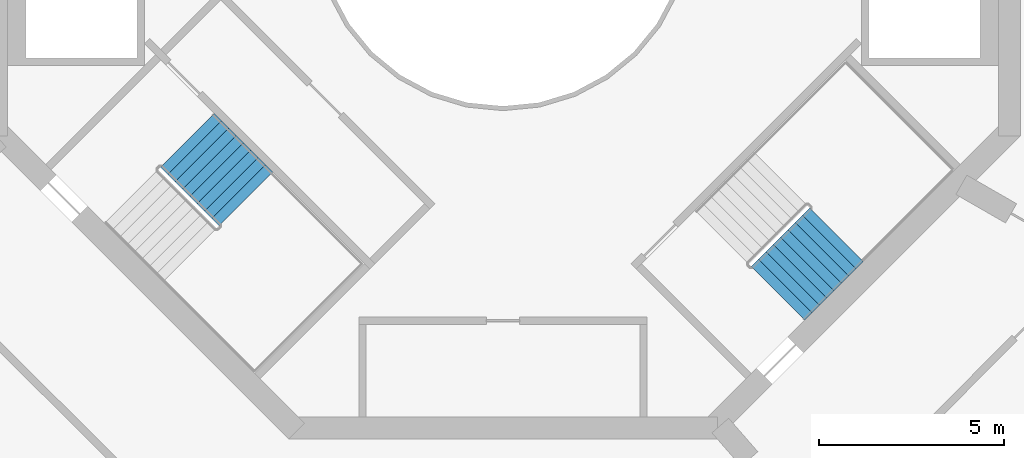
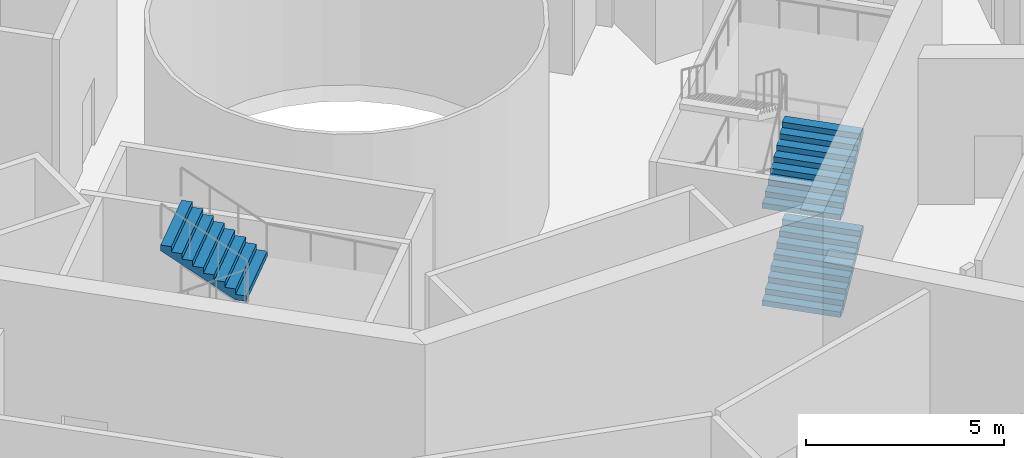
# One storey, part 12 of 16: 3 stair flights, 2 elements without a shape of their own.
"""IFC4 building model written with IfcOpenShell, lengths in metres."""

from ifc_helpers import new_model, si_unit, direction, frame, origin, place, context, subcontext, project, spatial, triangles, material, type_object, element, aggregate, save


model = new_model("IFC4")

# Units and contexts
model_context = context("Model", 3, precision=1e-05, world=origin(), true_north=direction((0.0, 1.0)))
body_context = subcontext(model_context, "Body", "Model", "MODEL_VIEW")
ifc_project = project(units=[si_unit("LENGTHUNIT", "METRE"), si_unit("AREAUNIT", "SQUARE_METRE"), si_unit("VOLUMEUNIT", "CUBIC_METRE"), si_unit("PLANEANGLEUNIT", "RADIAN"), si_unit("MASSUNIT", "GRAM", prefix="KILO")], contexts=[model_context])

# Site, building, storey
site_placement = place(None, origin())
site = spatial("IfcSite", under=ifc_project, at=site_placement, CompositionType="ELEMENT")
building_placement = place(site_placement, origin())
building = spatial("IfcBuilding", under=site, at=building_placement, Name="Verdalira Terraces Hotel", CompositionType="ELEMENT")
storey_placement = place(building_placement, frame((0.0, 0.0, 216.0)))
storey = spatial("IfcBuildingStorey", under=building, at=storey_placement, Name="L53", CompositionType="ELEMENT", Elevation=216.0)

# Stair, stair flight
ifc_material_1 = material(Name="Concrete C40", Category="concrete")
stair_type = type_object("IfcStairType", Name="Core stair 36 risers 2050 mm wide", PredefinedType="HALF_TURN_STAIR", material=ifc_material_1)
stair_1_placement = place(storey_placement, origin())
stair_1 = element("IfcStair", 1, at=stair_1_placement, inside=storey, type_object=stair_type, Name="L53 Exit stair ST2", PredefinedType="HALF_TURN_STAIR")
ifc_material_2 = material(Name="Concrete C40", Category="concrete")
stair_flight_type = type_object("IfcStairFlightType", Name="Core stair flight 36 risers 2050 mm wide", PredefinedType="STRAIGHT", material=ifc_material_2)
stair_flight_1_placement = place(storey_placement, frame((-6.954346, -7.505859, 4.5), z_axis=(0.0, 0.0, 1.0), x_axis=(-0.707106781, 0.707106781, 0.0)))
stair_flight_1 = element("IfcStairFlight", 2, at=stair_flight_1_placement, type_object=stair_flight_type, Name="ST2 flight 4", NumberOfRisers=9, NumberOfTreads=8, PredefinedType="STRAIGHT", RiserHeight=0.166666667, TreadLength=0.28, context=body_context, shape_type="Tessellation", body=[
    triangles([(0.0, 1.025024, 0.0), (0.292969, 1.025024, 0.0), (2.23999, 1.025024, 1.158936), (0.0, -1.025024, 0.0), (0.292969, -1.025024, 0.0), (2.23999, -1.025024, 1.158936), (2.23999, 1.025024, 1.333252), (1.959961, 1.025024, 1.333252), (2.23999, -1.025024, 1.333252), (1.959961, -1.025024, 1.333252), (1.959961, 1.025024, 1.166748), (1.959961, -1.025024, 1.166748), (1.679932, 1.025024, 1.166748), (1.679932, -1.025024, 1.166748), (1.679932, 1.025024, 1.0), (1.679932, -1.025024, 1.0), (1.399902, 1.025024, 1.0), (1.399902, 1.025024, 0.833252), (1.399902, -1.025024, 1.0), (1.399902, -1.025024, 0.833252), (1.120117, 1.025024, 0.833252), (1.120117, 1.025024, 0.666748), (1.120117, -1.025024, 0.833252), (1.120117, -1.025024, 0.666748), (0.840088, 1.025024, 0.666748), (0.840088, 1.025024, 0.5), (0.840088, -1.025024, 0.666748), (0.840088, -1.025024, 0.5), (0.560059, 1.025024, 0.5), (0.560059, 1.025024, 0.333252), (0.560059, -1.025024, 0.5), (0.560059, -1.025024, 0.333252), (0.280029, 1.025024, 0.333252), (0.280029, 1.025024, 0.166748), (0.280029, -1.025024, 0.333252), (0.280029, -1.025024, 0.166748), (0.0, 1.025024, 0.166748), (0.0, -1.025024, 0.166748), (0.0, -0.96096, 0.0), (0.0, -0.96096, 0.166748), (0.0, -0.896896, 0.0), (0.0, -0.896896, 0.166748), (0.0, -0.832832, 0.0), (0.0, -0.832832, 0.166748), (0.0, -0.768768, 0.0), (0.0, -0.768768, 0.166748), (0.0, -0.704704, 0.0), (0.0, -0.704704, 0.166748), (0.0, -0.64064, 0.0), (0.0, -0.64064, 0.166748), (0.0, -0.576576, 0.0), (0.0, -0.576576, 0.166748), (0.0, -0.512512, 0.0), (0.0, -0.512512, 0.166748), (0.0, -0.448448, 0.0), (0.0, -0.448448, 0.166748), (0.0, -0.384384, 0.0), (0.0, -0.384384, 0.166748), (0.0, -0.32032, 0.0), (0.0, -0.32032, 0.166748), (0.0, -0.256256, 0.0), (0.0, -0.256256, 0.166748), (0.0, -0.192192, 0.0), (0.0, -0.192192, 0.166748), (0.0, -0.128128, 0.0), (0.0, -0.128128, 0.166748), (0.0, -0.064064, 0.0), (0.0, -0.064064, 0.166748), (0.0, 0.0, 0.0), (0.0, 0.0, 0.166748), (0.0, 0.064064, 0.0), (0.0, 0.064064, 0.166748), (0.0, 0.128128, 0.0), (0.0, 0.128128, 0.166748), (0.0, 0.192192, 0.0), (0.0, 0.192192, 0.166748), (0.0, 0.256256, 0.0), (0.0, 0.256256, 0.166748), (0.0, 0.32032, 0.0), (0.0, 0.32032, 0.166748), (0.0, 0.384384, 0.0), (0.0, 0.384384, 0.166748), (0.0, 0.448448, 0.0), (0.0, 0.448448, 0.166748), (0.0, 0.512512, 0.0), (0.0, 0.512512, 0.166748), (0.0, 0.576576, 0.0), (0.0, 0.576576, 0.166748), (0.0, 0.64064, 0.0), (0.0, 0.64064, 0.166748), (0.0, 0.704704, 0.0), (0.0, 0.704704, 0.166748), (0.0, 0.768768, 0.0), (0.0, 0.768768, 0.166748), (0.0, 0.832832, 0.0), (0.0, 0.832832, 0.166748), (0.0, 0.896896, 0.0), (0.0, 0.896896, 0.166748), (0.0, 0.96096, 0.0), (0.0, 0.96096, 0.166748), (2.23999, -0.96096, 1.333252), (2.23999, -0.896896, 1.333252), (2.23999, -0.832832, 1.333252), (2.23999, -0.768768, 1.333252), (2.23999, -0.704704, 1.333252), (2.23999, -0.64064, 1.333252), (2.23999, -0.576576, 1.333252), (2.23999, -0.512512, 1.333252), (2.23999, -0.448448, 1.333252), (2.23999, -0.384384, 1.333252), (2.23999, -0.32032, 1.333252), (2.23999, -0.256256, 1.333252), (2.23999, -0.192192, 1.333252), (2.23999, -0.128128, 1.333252), (2.23999, -0.064064, 1.333252), (2.23999, 0.0, 1.333252), (2.23999, 0.064064, 1.333252), (2.23999, 0.128128, 1.333252), (2.23999, 0.192192, 1.333252), (2.23999, 0.256256, 1.333252), (2.23999, 0.32032, 1.333252), (2.23999, 0.384384, 1.333252), (2.23999, 0.448448, 1.333252), (2.23999, 0.512512, 1.333252), (2.23999, 0.576576, 1.333252), (2.23999, 0.64064, 1.333252), (2.23999, 0.704704, 1.333252), (2.23999, 0.768768, 1.333252), (2.23999, 0.832832, 1.333252), (2.23999, 0.896896, 1.333252), (2.23999, 0.96096, 1.333252), (2.23999, -0.96096, 1.158936), (2.23999, -0.896896, 1.158936), (2.23999, -0.832832, 1.158936), (2.23999, -0.768768, 1.158936), (2.23999, -0.704704, 1.158936), (2.23999, -0.64064, 1.158936), (2.23999, -0.576576, 1.158936), (2.23999, -0.512512, 1.158936), (2.23999, -0.448448, 1.158936), (2.23999, -0.384384, 1.158936), (2.23999, -0.32032, 1.158936), (2.23999, -0.256256, 1.158936), (2.23999, -0.192192, 1.158936), (2.23999, -0.128128, 1.158936), (2.23999, -0.064064, 1.158936), (2.23999, 0.0, 1.158936), (2.23999, 0.064064, 1.158936), (2.23999, 0.128128, 1.158936), (2.23999, 0.192192, 1.158936), (2.23999, 0.256256, 1.158936), (2.23999, 0.32032, 1.158936), (2.23999, 0.384384, 1.158936), (2.23999, 0.448448, 1.158936), (2.23999, 0.512512, 1.158936), (2.23999, 0.576576, 1.158936), (2.23999, 0.64064, 1.158936), (2.23999, 0.704704, 1.158936), (2.23999, 0.768768, 1.158936), (2.23999, 0.832832, 1.158936), (2.23999, 0.896896, 1.158936), (2.23999, 0.96096, 1.158936)], [[1, 3, 2], [4, 5, 6], [3, 8, 7], [6, 9, 10], [3, 11, 8], [6, 10, 12], [3, 13, 11], [6, 12, 14], [3, 15, 13], [6, 14, 16], [15, 18, 17], [16, 19, 20], [3, 18, 15], [6, 16, 20], [18, 22, 21], [20, 23, 24], [3, 22, 18], [6, 20, 24], [22, 26, 25], [24, 27, 28], [3, 26, 22], [6, 24, 28], [26, 30, 29], [28, 31, 32], [3, 30, 26], [6, 28, 32], [1, 30, 3], [4, 6, 32], [30, 34, 33], [32, 35, 36], [1, 34, 30], [4, 32, 36], [34, 1, 37], [36, 38, 4], [4, 40, 39], [4, 38, 40], [39, 42, 41], [39, 40, 42], [41, 44, 43], [41, 42, 44], [43, 46, 45], [43, 44, 46], [45, 48, 47], [45, 46, 48], [47, 50, 49], [47, 48, 50], [49, 52, 51], [49, 50, 52], [51, 54, 53], [51, 52, 54], [53, 56, 55], [53, 54, 56], [55, 58, 57], [55, 56, 58], [57, 60, 59], [57, 58, 60], [59, 62, 61], [59, 60, 62], [61, 64, 63], [61, 62, 64], [63, 66, 65], [63, 64, 66], [65, 68, 67], [65, 66, 68], [67, 70, 69], [67, 68, 70], [69, 72, 71], [69, 70, 72], [71, 74, 73], [71, 72, 74], [73, 76, 75], [73, 74, 76], [75, 78, 77], [75, 76, 78], [77, 80, 79], [77, 78, 80], [79, 82, 81], [79, 80, 82], [81, 84, 83], [81, 82, 84], [83, 86, 85], [83, 84, 86], [85, 88, 87], [85, 86, 88], [87, 90, 89], [87, 88, 90], [89, 92, 91], [89, 90, 92], [91, 94, 93], [91, 92, 94], [93, 96, 95], [93, 94, 96], [95, 98, 97], [95, 96, 98], [97, 100, 99], [97, 98, 100], [99, 37, 1], [99, 100, 37], [38, 36, 40], [40, 36, 42], [42, 36, 44], [44, 36, 46], [46, 36, 48], [48, 36, 50], [50, 36, 52], [52, 36, 54], [54, 36, 56], [56, 36, 58], [58, 36, 60], [60, 36, 62], [62, 36, 64], [64, 36, 66], [66, 36, 68], [68, 36, 70], [70, 36, 72], [72, 36, 74], [74, 36, 76], [76, 36, 78], [78, 36, 80], [80, 36, 82], [82, 36, 84], [84, 36, 86], [86, 36, 88], [88, 36, 90], [90, 36, 92], [92, 36, 94], [94, 36, 96], [96, 36, 98], [98, 36, 100], [100, 36, 37], [37, 36, 34], [36, 33, 34], [36, 35, 33], [35, 30, 33], [35, 32, 30], [32, 29, 30], [32, 31, 29], [31, 26, 29], [31, 28, 26], [28, 25, 26], [28, 27, 25], [27, 22, 25], [27, 24, 22], [24, 21, 22], [24, 23, 21], [23, 18, 21], [23, 20, 18], [20, 17, 18], [20, 19, 17], [19, 15, 17], [19, 16, 15], [16, 13, 15], [16, 14, 13], [14, 11, 13], [14, 12, 11], [12, 8, 11], [12, 10, 8], [9, 101, 10], [101, 102, 10], [102, 103, 10], [103, 104, 10], [104, 105, 10], [105, 106, 10], [106, 107, 10], [107, 108, 10], [108, 109, 10], [109, 110, 10], [110, 111, 10], [111, 112, 10], [112, 113, 10], [113, 114, 10], [114, 115, 10], [115, 116, 10], [116, 117, 10], [117, 118, 10], [118, 119, 10], [119, 120, 10], [120, 121, 10], [121, 122, 10], [122, 123, 10], [123, 124, 10], [124, 125, 10], [125, 126, 10], [126, 127, 10], [127, 128, 10], [128, 129, 10], [129, 130, 10], [130, 131, 10], [131, 7, 10], [7, 8, 10], [9, 132, 101], [9, 6, 132], [101, 133, 102], [101, 132, 133], [102, 134, 103], [102, 133, 134], [103, 135, 104], [103, 134, 135], [104, 136, 105], [104, 135, 136], [105, 137, 106], [105, 136, 137], [106, 138, 107], [106, 137, 138], [107, 139, 108], [107, 138, 139], [108, 140, 109], [108, 139, 140], [109, 141, 110], [109, 140, 141], [110, 142, 111], [110, 141, 142], [111, 143, 112], [111, 142, 143], [112, 144, 113], [112, 143, 144], [113, 145, 114], [113, 144, 145], [114, 146, 115], [114, 145, 146], [115, 147, 116], [115, 146, 147], [116, 148, 117], [116, 147, 148], [117, 149, 118], [117, 148, 149], [118, 150, 119], [118, 149, 150], [119, 151, 120], [119, 150, 151], [120, 152, 121], [120, 151, 152], [121, 153, 122], [121, 152, 153], [122, 154, 123], [122, 153, 154], [123, 155, 124], [123, 154, 155], [124, 156, 125], [124, 155, 156], [125, 157, 126], [125, 156, 157], [126, 158, 127], [126, 157, 158], [127, 159, 128], [127, 158, 159], [128, 160, 129], [128, 159, 160], [129, 161, 130], [129, 160, 161], [130, 162, 131], [130, 161, 162], [131, 3, 7], [131, 162, 3], [6, 5, 132], [132, 5, 133], [133, 5, 134], [134, 5, 135], [135, 5, 136], [136, 5, 137], [137, 5, 138], [138, 5, 139], [139, 5, 140], [140, 5, 141], [141, 5, 142], [142, 5, 143], [143, 5, 144], [144, 5, 145], [145, 5, 146], [146, 5, 147], [147, 5, 148], [148, 5, 149], [149, 5, 150], [150, 5, 151], [151, 5, 152], [152, 5, 153], [153, 5, 154], [154, 5, 155], [155, 5, 156], [156, 5, 157], [157, 5, 158], [158, 5, 159], [159, 5, 160], [160, 5, 161], [161, 5, 162], [162, 5, 3], [3, 5, 2], [4, 39, 5], [39, 41, 5], [41, 43, 5], [43, 45, 5], [45, 47, 5], [47, 49, 5], [49, 51, 5], [51, 53, 5], [53, 55, 5], [55, 57, 5], [57, 59, 5], [59, 61, 5], [61, 63, 5], [63, 65, 5], [65, 67, 5], [67, 69, 5], [69, 71, 5], [71, 73, 5], [73, 75, 5], [75, 77, 5], [77, 79, 5], [79, 81, 5], [81, 83, 5], [83, 85, 5], [85, 87, 5], [87, 89, 5], [89, 91, 5], [91, 93, 5], [93, 95, 5], [95, 97, 5], [97, 99, 5], [99, 1, 5], [1, 2, 5]], closed=True),
])
aggregate(stair_1, [stair_flight_1])

# Stair, stair flights
stair_2_placement = place(storey_placement, origin())
stair_2 = element("IfcStair", 3, at=stair_2_placement, inside=storey, type_object=stair_type, Name="L53 Exit stair ST3", PredefinedType="HALF_TURN_STAIR")
stair_flight_2_placement = place(storey_placement, frame((7.442383, -10.058594, 0.0), z_axis=(0.0, 0.0, 1.0), x_axis=(0.707106781, 0.707106781, 0.0)))
stair_flight_2 = element("IfcStairFlight", 4, at=stair_flight_2_placement, type_object=stair_flight_type, Name="ST3 flight 1", NumberOfRisers=9, NumberOfTreads=8, PredefinedType="STRAIGHT", RiserHeight=0.166666667, TreadLength=0.28, context=body_context, shape_type="Tessellation", body=[
    triangles([(0.0, 1.025024, 0.0), (0.292969, 1.025024, 0.0), (2.23999, 1.025024, 1.158936), (0.0, -1.025024, 0.0), (0.292969, -1.025024, 0.0), (2.23999, -1.025024, 1.158936), (2.23999, 1.025024, 1.333252), (1.959961, 1.025024, 1.333252), (2.23999, -1.025024, 1.333252), (1.959961, -1.025024, 1.333252), (1.959961, 1.025024, 1.166748), (1.959961, -1.025024, 1.166748), (1.679932, 1.025024, 1.166748), (1.679932, -1.025024, 1.166748), (1.679932, 1.025024, 1.0), (1.679932, -1.025024, 1.0), (1.399902, 1.025024, 1.0), (1.399902, 1.025024, 0.833252), (1.399902, -1.025024, 1.0), (1.399902, -1.025024, 0.833252), (1.120117, 1.025024, 0.833252), (1.120117, 1.025024, 0.666748), (1.120117, -1.025024, 0.833252), (1.120117, -1.025024, 0.666748), (0.840088, 1.025024, 0.666748), (0.840088, 1.025024, 0.5), (0.840088, -1.025024, 0.666748), (0.840088, -1.025024, 0.5), (0.560059, 1.025024, 0.5), (0.560059, 1.025024, 0.333252), (0.560059, -1.025024, 0.5), (0.560059, -1.025024, 0.333252), (0.280029, 1.025024, 0.333252), (0.280029, 1.025024, 0.166748), (0.280029, -1.025024, 0.333252), (0.280029, -1.025024, 0.166748), (0.0, 1.025024, 0.166748), (0.0, -1.025024, 0.166748), (0.0, -0.96096, 0.0), (0.0, -0.96096, 0.166748), (0.0, -0.896896, 0.0), (0.0, -0.896896, 0.166748), (0.0, -0.832832, 0.0), (0.0, -0.832832, 0.166748), (0.0, -0.768768, 0.0), (0.0, -0.768768, 0.166748), (0.0, -0.704704, 0.0), (0.0, -0.704704, 0.166748), (0.0, -0.64064, 0.0), (0.0, -0.64064, 0.166748), (0.0, -0.576576, 0.0), (0.0, -0.576576, 0.166748), (0.0, -0.512512, 0.0), (0.0, -0.512512, 0.166748), (0.0, -0.448448, 0.0), (0.0, -0.448448, 0.166748), (0.0, -0.384384, 0.0), (0.0, -0.384384, 0.166748), (0.0, -0.32032, 0.0), (0.0, -0.32032, 0.166748), (0.0, -0.256256, 0.0), (0.0, -0.256256, 0.166748), (0.0, -0.192192, 0.0), (0.0, -0.192192, 0.166748), (0.0, -0.128128, 0.0), (0.0, -0.128128, 0.166748), (0.0, -0.064064, 0.0), (0.0, -0.064064, 0.166748), (0.0, 0.0, 0.0), (0.0, 0.0, 0.166748), (0.0, 0.064064, 0.0), (0.0, 0.064064, 0.166748), (0.0, 0.128128, 0.0), (0.0, 0.128128, 0.166748), (0.0, 0.192192, 0.0), (0.0, 0.192192, 0.166748), (0.0, 0.256256, 0.0), (0.0, 0.256256, 0.166748), (0.0, 0.32032, 0.0), (0.0, 0.32032, 0.166748), (0.0, 0.384384, 0.0), (0.0, 0.384384, 0.166748), (0.0, 0.448448, 0.0), (0.0, 0.448448, 0.166748), (0.0, 0.512512, 0.0), (0.0, 0.512512, 0.166748), (0.0, 0.576576, 0.0), (0.0, 0.576576, 0.166748), (0.0, 0.64064, 0.0), (0.0, 0.64064, 0.166748), (0.0, 0.704704, 0.0), (0.0, 0.704704, 0.166748), (0.0, 0.768768, 0.0), (0.0, 0.768768, 0.166748), (0.0, 0.832832, 0.0), (0.0, 0.832832, 0.166748), (0.0, 0.896896, 0.0), (0.0, 0.896896, 0.166748), (0.0, 0.96096, 0.0), (0.0, 0.96096, 0.166748), (2.23999, -0.96096, 1.333252), (2.23999, -0.896896, 1.333252), (2.23999, -0.832832, 1.333252), (2.23999, -0.768768, 1.333252), (2.23999, -0.704704, 1.333252), (2.23999, -0.64064, 1.333252), (2.23999, -0.576576, 1.333252), (2.23999, -0.512512, 1.333252), (2.23999, -0.448448, 1.333252), (2.23999, -0.384384, 1.333252), (2.23999, -0.32032, 1.333252), (2.23999, -0.256256, 1.333252), (2.23999, -0.192192, 1.333252), (2.23999, -0.128128, 1.333252), (2.23999, -0.064064, 1.333252), (2.23999, 0.0, 1.333252), (2.23999, 0.064064, 1.333252), (2.23999, 0.128128, 1.333252), (2.23999, 0.192192, 1.333252), (2.23999, 0.256256, 1.333252), (2.23999, 0.32032, 1.333252), (2.23999, 0.384384, 1.333252), (2.23999, 0.448448, 1.333252), (2.23999, 0.512512, 1.333252), (2.23999, 0.576576, 1.333252), (2.23999, 0.64064, 1.333252), (2.23999, 0.704704, 1.333252), (2.23999, 0.768768, 1.333252), (2.23999, 0.832832, 1.333252), (2.23999, 0.896896, 1.333252), (2.23999, 0.96096, 1.333252), (2.23999, -0.96096, 1.158936), (2.23999, -0.896896, 1.158936), (2.23999, -0.832832, 1.158936), (2.23999, -0.768768, 1.158936), (2.23999, -0.704704, 1.158936), (2.23999, -0.64064, 1.158936), (2.23999, -0.576576, 1.158936), (2.23999, -0.512512, 1.158936), (2.23999, -0.448448, 1.158936), (2.23999, -0.384384, 1.158936), (2.23999, -0.32032, 1.158936), (2.23999, -0.256256, 1.158936), (2.23999, -0.192192, 1.158936), (2.23999, -0.128128, 1.158936), (2.23999, -0.064064, 1.158936), (2.23999, 0.0, 1.158936), (2.23999, 0.064064, 1.158936), (2.23999, 0.128128, 1.158936), (2.23999, 0.192192, 1.158936), (2.23999, 0.256256, 1.158936), (2.23999, 0.32032, 1.158936), (2.23999, 0.384384, 1.158936), (2.23999, 0.448448, 1.158936), (2.23999, 0.512512, 1.158936), (2.23999, 0.576576, 1.158936), (2.23999, 0.64064, 1.158936), (2.23999, 0.704704, 1.158936), (2.23999, 0.768768, 1.158936), (2.23999, 0.832832, 1.158936), (2.23999, 0.896896, 1.158936), (2.23999, 0.96096, 1.158936)], [[1, 3, 2], [4, 5, 6], [3, 8, 7], [6, 9, 10], [3, 11, 8], [6, 10, 12], [3, 13, 11], [6, 12, 14], [3, 15, 13], [6, 14, 16], [15, 18, 17], [16, 19, 20], [3, 18, 15], [6, 16, 20], [18, 22, 21], [20, 23, 24], [3, 22, 18], [6, 20, 24], [22, 26, 25], [24, 27, 28], [3, 26, 22], [6, 24, 28], [26, 30, 29], [28, 31, 32], [3, 30, 26], [6, 28, 32], [1, 30, 3], [4, 6, 32], [30, 34, 33], [32, 35, 36], [1, 34, 30], [4, 32, 36], [34, 1, 37], [36, 38, 4], [4, 40, 39], [4, 38, 40], [39, 42, 41], [39, 40, 42], [41, 44, 43], [41, 42, 44], [43, 46, 45], [43, 44, 46], [45, 48, 47], [45, 46, 48], [47, 50, 49], [47, 48, 50], [49, 52, 51], [49, 50, 52], [51, 54, 53], [51, 52, 54], [53, 56, 55], [53, 54, 56], [55, 58, 57], [55, 56, 58], [57, 60, 59], [57, 58, 60], [59, 62, 61], [59, 60, 62], [61, 64, 63], [61, 62, 64], [63, 66, 65], [63, 64, 66], [65, 68, 67], [65, 66, 68], [67, 70, 69], [67, 68, 70], [69, 72, 71], [69, 70, 72], [71, 74, 73], [71, 72, 74], [73, 76, 75], [73, 74, 76], [75, 78, 77], [75, 76, 78], [77, 80, 79], [77, 78, 80], [79, 82, 81], [79, 80, 82], [81, 84, 83], [81, 82, 84], [83, 86, 85], [83, 84, 86], [85, 88, 87], [85, 86, 88], [87, 90, 89], [87, 88, 90], [89, 92, 91], [89, 90, 92], [91, 94, 93], [91, 92, 94], [93, 96, 95], [93, 94, 96], [95, 98, 97], [95, 96, 98], [97, 100, 99], [97, 98, 100], [99, 37, 1], [99, 100, 37], [38, 36, 40], [40, 36, 42], [42, 36, 44], [44, 36, 46], [46, 36, 48], [48, 36, 50], [50, 36, 52], [52, 36, 54], [54, 36, 56], [56, 36, 58], [58, 36, 60], [60, 36, 62], [62, 36, 64], [64, 36, 66], [66, 36, 68], [68, 36, 70], [70, 36, 72], [72, 36, 74], [74, 36, 76], [76, 36, 78], [78, 36, 80], [80, 36, 82], [82, 36, 84], [84, 36, 86], [86, 36, 88], [88, 36, 90], [90, 36, 92], [92, 36, 94], [94, 36, 96], [96, 36, 98], [98, 36, 100], [100, 36, 37], [37, 36, 34], [36, 33, 34], [36, 35, 33], [35, 30, 33], [35, 32, 30], [32, 29, 30], [32, 31, 29], [31, 26, 29], [31, 28, 26], [28, 25, 26], [28, 27, 25], [27, 22, 25], [27, 24, 22], [24, 21, 22], [24, 23, 21], [23, 18, 21], [23, 20, 18], [20, 17, 18], [20, 19, 17], [19, 15, 17], [19, 16, 15], [16, 13, 15], [16, 14, 13], [14, 11, 13], [14, 12, 11], [12, 8, 11], [12, 10, 8], [9, 101, 10], [101, 102, 10], [102, 103, 10], [103, 104, 10], [104, 105, 10], [105, 106, 10], [106, 107, 10], [107, 108, 10], [108, 109, 10], [109, 110, 10], [110, 111, 10], [111, 112, 10], [112, 113, 10], [113, 114, 10], [114, 115, 10], [115, 116, 10], [116, 117, 10], [117, 118, 10], [118, 119, 10], [119, 120, 10], [120, 121, 10], [121, 122, 10], [122, 123, 10], [123, 124, 10], [124, 125, 10], [125, 126, 10], [126, 127, 10], [127, 128, 10], [128, 129, 10], [129, 130, 10], [130, 131, 10], [131, 7, 10], [7, 8, 10], [9, 132, 101], [9, 6, 132], [101, 133, 102], [101, 132, 133], [102, 134, 103], [102, 133, 134], [103, 135, 104], [103, 134, 135], [104, 136, 105], [104, 135, 136], [105, 137, 106], [105, 136, 137], [106, 138, 107], [106, 137, 138], [107, 139, 108], [107, 138, 139], [108, 140, 109], [108, 139, 140], [109, 141, 110], [109, 140, 141], [110, 142, 111], [110, 141, 142], [111, 143, 112], [111, 142, 143], [112, 144, 113], [112, 143, 144], [113, 145, 114], [113, 144, 145], [114, 146, 115], [114, 145, 146], [115, 147, 116], [115, 146, 147], [116, 148, 117], [116, 147, 148], [117, 149, 118], [117, 148, 149], [118, 150, 119], [118, 149, 150], [119, 151, 120], [119, 150, 151], [120, 152, 121], [120, 151, 152], [121, 153, 122], [121, 152, 153], [122, 154, 123], [122, 153, 154], [123, 155, 124], [123, 154, 155], [124, 156, 125], [124, 155, 156], [125, 157, 126], [125, 156, 157], [126, 158, 127], [126, 157, 158], [127, 159, 128], [127, 158, 159], [128, 160, 129], [128, 159, 160], [129, 161, 130], [129, 160, 161], [130, 162, 131], [130, 161, 162], [131, 3, 7], [131, 162, 3], [6, 5, 132], [132, 5, 133], [133, 5, 134], [134, 5, 135], [135, 5, 136], [136, 5, 137], [137, 5, 138], [138, 5, 139], [139, 5, 140], [140, 5, 141], [141, 5, 142], [142, 5, 143], [143, 5, 144], [144, 5, 145], [145, 5, 146], [146, 5, 147], [147, 5, 148], [148, 5, 149], [149, 5, 150], [150, 5, 151], [151, 5, 152], [152, 5, 153], [153, 5, 154], [154, 5, 155], [155, 5, 156], [156, 5, 157], [157, 5, 158], [158, 5, 159], [159, 5, 160], [160, 5, 161], [161, 5, 162], [162, 5, 3], [3, 5, 2], [4, 39, 5], [39, 41, 5], [41, 43, 5], [43, 45, 5], [45, 47, 5], [47, 49, 5], [49, 51, 5], [51, 53, 5], [53, 55, 5], [55, 57, 5], [57, 59, 5], [59, 61, 5], [61, 63, 5], [63, 65, 5], [65, 67, 5], [67, 69, 5], [69, 71, 5], [71, 73, 5], [73, 75, 5], [75, 77, 5], [77, 79, 5], [79, 81, 5], [81, 83, 5], [83, 85, 5], [85, 87, 5], [87, 89, 5], [89, 91, 5], [91, 93, 5], [93, 95, 5], [95, 97, 5], [97, 99, 5], [99, 1, 5], [1, 2, 5]], closed=True),
])
stair_flight_3_placement = place(storey_placement, frame((7.442383, -10.058594, 3.0), z_axis=(0.0, 0.0, 1.0), x_axis=(0.707106781, 0.707106781, 0.0)))
stair_flight_3 = element("IfcStairFlight", 5, at=stair_flight_3_placement, type_object=stair_flight_type, Name="ST3 flight 3", NumberOfRisers=9, NumberOfTreads=8, PredefinedType="STRAIGHT", RiserHeight=0.166666667, TreadLength=0.28, context=body_context, shape_type="Tessellation", body=[
    triangles([(0.0, 1.025024, 0.0), (0.292969, 1.025024, 0.0), (2.23999, 1.025024, 1.158936), (0.0, -1.025024, 0.0), (0.292969, -1.025024, 0.0), (2.23999, -1.025024, 1.158936), (2.23999, 1.025024, 1.333252), (1.959961, 1.025024, 1.333252), (2.23999, -1.025024, 1.333252), (1.959961, -1.025024, 1.333252), (1.959961, 1.025024, 1.166748), (1.959961, -1.025024, 1.166748), (1.679932, 1.025024, 1.166748), (1.679932, -1.025024, 1.166748), (1.679932, 1.025024, 1.0), (1.679932, -1.025024, 1.0), (1.399902, 1.025024, 1.0), (1.399902, 1.025024, 0.833252), (1.399902, -1.025024, 1.0), (1.399902, -1.025024, 0.833252), (1.120117, 1.025024, 0.833252), (1.120117, 1.025024, 0.666748), (1.120117, -1.025024, 0.833252), (1.120117, -1.025024, 0.666748), (0.840088, 1.025024, 0.666748), (0.840088, 1.025024, 0.5), (0.840088, -1.025024, 0.666748), (0.840088, -1.025024, 0.5), (0.560059, 1.025024, 0.5), (0.560059, 1.025024, 0.333252), (0.560059, -1.025024, 0.5), (0.560059, -1.025024, 0.333252), (0.280029, 1.025024, 0.333252), (0.280029, 1.025024, 0.166748), (0.280029, -1.025024, 0.333252), (0.280029, -1.025024, 0.166748), (0.0, 1.025024, 0.166748), (0.0, -1.025024, 0.166748), (0.0, -0.96096, 0.0), (0.0, -0.96096, 0.166748), (0.0, -0.896896, 0.0), (0.0, -0.896896, 0.166748), (0.0, -0.832832, 0.0), (0.0, -0.832832, 0.166748), (0.0, -0.768768, 0.0), (0.0, -0.768768, 0.166748), (0.0, -0.704704, 0.0), (0.0, -0.704704, 0.166748), (0.0, -0.64064, 0.0), (0.0, -0.64064, 0.166748), (0.0, -0.576576, 0.0), (0.0, -0.576576, 0.166748), (0.0, -0.512512, 0.0), (0.0, -0.512512, 0.166748), (0.0, -0.448448, 0.0), (0.0, -0.448448, 0.166748), (0.0, -0.384384, 0.0), (0.0, -0.384384, 0.166748), (0.0, -0.32032, 0.0), (0.0, -0.32032, 0.166748), (0.0, -0.256256, 0.0), (0.0, -0.256256, 0.166748), (0.0, -0.192192, 0.0), (0.0, -0.192192, 0.166748), (0.0, -0.128128, 0.0), (0.0, -0.128128, 0.166748), (0.0, -0.064064, 0.0), (0.0, -0.064064, 0.166748), (0.0, 0.0, 0.0), (0.0, 0.0, 0.166748), (0.0, 0.064064, 0.0), (0.0, 0.064064, 0.166748), (0.0, 0.128128, 0.0), (0.0, 0.128128, 0.166748), (0.0, 0.192192, 0.0), (0.0, 0.192192, 0.166748), (0.0, 0.256256, 0.0), (0.0, 0.256256, 0.166748), (0.0, 0.32032, 0.0), (0.0, 0.32032, 0.166748), (0.0, 0.384384, 0.0), (0.0, 0.384384, 0.166748), (0.0, 0.448448, 0.0), (0.0, 0.448448, 0.166748), (0.0, 0.512512, 0.0), (0.0, 0.512512, 0.166748), (0.0, 0.576576, 0.0), (0.0, 0.576576, 0.166748), (0.0, 0.64064, 0.0), (0.0, 0.64064, 0.166748), (0.0, 0.704704, 0.0), (0.0, 0.704704, 0.166748), (0.0, 0.768768, 0.0), (0.0, 0.768768, 0.166748), (0.0, 0.832832, 0.0), (0.0, 0.832832, 0.166748), (0.0, 0.896896, 0.0), (0.0, 0.896896, 0.166748), (0.0, 0.96096, 0.0), (0.0, 0.96096, 0.166748), (2.23999, -0.96096, 1.333252), (2.23999, -0.896896, 1.333252), (2.23999, -0.832832, 1.333252), (2.23999, -0.768768, 1.333252), (2.23999, -0.704704, 1.333252), (2.23999, -0.64064, 1.333252), (2.23999, -0.576576, 1.333252), (2.23999, -0.512512, 1.333252), (2.23999, -0.448448, 1.333252), (2.23999, -0.384384, 1.333252), (2.23999, -0.32032, 1.333252), (2.23999, -0.256256, 1.333252), (2.23999, -0.192192, 1.333252), (2.23999, -0.128128, 1.333252), (2.23999, -0.064064, 1.333252), (2.23999, 0.0, 1.333252), (2.23999, 0.064064, 1.333252), (2.23999, 0.128128, 1.333252), (2.23999, 0.192192, 1.333252), (2.23999, 0.256256, 1.333252), (2.23999, 0.32032, 1.333252), (2.23999, 0.384384, 1.333252), (2.23999, 0.448448, 1.333252), (2.23999, 0.512512, 1.333252), (2.23999, 0.576576, 1.333252), (2.23999, 0.64064, 1.333252), (2.23999, 0.704704, 1.333252), (2.23999, 0.768768, 1.333252), (2.23999, 0.832832, 1.333252), (2.23999, 0.896896, 1.333252), (2.23999, 0.96096, 1.333252), (2.23999, -0.96096, 1.158936), (2.23999, -0.896896, 1.158936), (2.23999, -0.832832, 1.158936), (2.23999, -0.768768, 1.158936), (2.23999, -0.704704, 1.158936), (2.23999, -0.64064, 1.158936), (2.23999, -0.576576, 1.158936), (2.23999, -0.512512, 1.158936), (2.23999, -0.448448, 1.158936), (2.23999, -0.384384, 1.158936), (2.23999, -0.32032, 1.158936), (2.23999, -0.256256, 1.158936), (2.23999, -0.192192, 1.158936), (2.23999, -0.128128, 1.158936), (2.23999, -0.064064, 1.158936), (2.23999, 0.0, 1.158936), (2.23999, 0.064064, 1.158936), (2.23999, 0.128128, 1.158936), (2.23999, 0.192192, 1.158936), (2.23999, 0.256256, 1.158936), (2.23999, 0.32032, 1.158936), (2.23999, 0.384384, 1.158936), (2.23999, 0.448448, 1.158936), (2.23999, 0.512512, 1.158936), (2.23999, 0.576576, 1.158936), (2.23999, 0.64064, 1.158936), (2.23999, 0.704704, 1.158936), (2.23999, 0.768768, 1.158936), (2.23999, 0.832832, 1.158936), (2.23999, 0.896896, 1.158936), (2.23999, 0.96096, 1.158936)], [[1, 3, 2], [4, 5, 6], [3, 8, 7], [6, 9, 10], [3, 11, 8], [6, 10, 12], [3, 13, 11], [6, 12, 14], [3, 15, 13], [6, 14, 16], [15, 18, 17], [16, 19, 20], [3, 18, 15], [6, 16, 20], [18, 22, 21], [20, 23, 24], [3, 22, 18], [6, 20, 24], [22, 26, 25], [24, 27, 28], [3, 26, 22], [6, 24, 28], [26, 30, 29], [28, 31, 32], [3, 30, 26], [6, 28, 32], [1, 30, 3], [4, 6, 32], [30, 34, 33], [32, 35, 36], [1, 34, 30], [4, 32, 36], [34, 1, 37], [36, 38, 4], [4, 40, 39], [4, 38, 40], [39, 42, 41], [39, 40, 42], [41, 44, 43], [41, 42, 44], [43, 46, 45], [43, 44, 46], [45, 48, 47], [45, 46, 48], [47, 50, 49], [47, 48, 50], [49, 52, 51], [49, 50, 52], [51, 54, 53], [51, 52, 54], [53, 56, 55], [53, 54, 56], [55, 58, 57], [55, 56, 58], [57, 60, 59], [57, 58, 60], [59, 62, 61], [59, 60, 62], [61, 64, 63], [61, 62, 64], [63, 66, 65], [63, 64, 66], [65, 68, 67], [65, 66, 68], [67, 70, 69], [67, 68, 70], [69, 72, 71], [69, 70, 72], [71, 74, 73], [71, 72, 74], [73, 76, 75], [73, 74, 76], [75, 78, 77], [75, 76, 78], [77, 80, 79], [77, 78, 80], [79, 82, 81], [79, 80, 82], [81, 84, 83], [81, 82, 84], [83, 86, 85], [83, 84, 86], [85, 88, 87], [85, 86, 88], [87, 90, 89], [87, 88, 90], [89, 92, 91], [89, 90, 92], [91, 94, 93], [91, 92, 94], [93, 96, 95], [93, 94, 96], [95, 98, 97], [95, 96, 98], [97, 100, 99], [97, 98, 100], [99, 37, 1], [99, 100, 37], [38, 36, 40], [40, 36, 42], [42, 36, 44], [44, 36, 46], [46, 36, 48], [48, 36, 50], [50, 36, 52], [52, 36, 54], [54, 36, 56], [56, 36, 58], [58, 36, 60], [60, 36, 62], [62, 36, 64], [64, 36, 66], [66, 36, 68], [68, 36, 70], [70, 36, 72], [72, 36, 74], [74, 36, 76], [76, 36, 78], [78, 36, 80], [80, 36, 82], [82, 36, 84], [84, 36, 86], [86, 36, 88], [88, 36, 90], [90, 36, 92], [92, 36, 94], [94, 36, 96], [96, 36, 98], [98, 36, 100], [100, 36, 37], [37, 36, 34], [36, 33, 34], [36, 35, 33], [35, 30, 33], [35, 32, 30], [32, 29, 30], [32, 31, 29], [31, 26, 29], [31, 28, 26], [28, 25, 26], [28, 27, 25], [27, 22, 25], [27, 24, 22], [24, 21, 22], [24, 23, 21], [23, 18, 21], [23, 20, 18], [20, 17, 18], [20, 19, 17], [19, 15, 17], [19, 16, 15], [16, 13, 15], [16, 14, 13], [14, 11, 13], [14, 12, 11], [12, 8, 11], [12, 10, 8], [9, 101, 10], [101, 102, 10], [102, 103, 10], [103, 104, 10], [104, 105, 10], [105, 106, 10], [106, 107, 10], [107, 108, 10], [108, 109, 10], [109, 110, 10], [110, 111, 10], [111, 112, 10], [112, 113, 10], [113, 114, 10], [114, 115, 10], [115, 116, 10], [116, 117, 10], [117, 118, 10], [118, 119, 10], [119, 120, 10], [120, 121, 10], [121, 122, 10], [122, 123, 10], [123, 124, 10], [124, 125, 10], [125, 126, 10], [126, 127, 10], [127, 128, 10], [128, 129, 10], [129, 130, 10], [130, 131, 10], [131, 7, 10], [7, 8, 10], [9, 132, 101], [9, 6, 132], [101, 133, 102], [101, 132, 133], [102, 134, 103], [102, 133, 134], [103, 135, 104], [103, 134, 135], [104, 136, 105], [104, 135, 136], [105, 137, 106], [105, 136, 137], [106, 138, 107], [106, 137, 138], [107, 139, 108], [107, 138, 139], [108, 140, 109], [108, 139, 140], [109, 141, 110], [109, 140, 141], [110, 142, 111], [110, 141, 142], [111, 143, 112], [111, 142, 143], [112, 144, 113], [112, 143, 144], [113, 145, 114], [113, 144, 145], [114, 146, 115], [114, 145, 146], [115, 147, 116], [115, 146, 147], [116, 148, 117], [116, 147, 148], [117, 149, 118], [117, 148, 149], [118, 150, 119], [118, 149, 150], [119, 151, 120], [119, 150, 151], [120, 152, 121], [120, 151, 152], [121, 153, 122], [121, 152, 153], [122, 154, 123], [122, 153, 154], [123, 155, 124], [123, 154, 155], [124, 156, 125], [124, 155, 156], [125, 157, 126], [125, 156, 157], [126, 158, 127], [126, 157, 158], [127, 159, 128], [127, 158, 159], [128, 160, 129], [128, 159, 160], [129, 161, 130], [129, 160, 161], [130, 162, 131], [130, 161, 162], [131, 3, 7], [131, 162, 3], [6, 5, 132], [132, 5, 133], [133, 5, 134], [134, 5, 135], [135, 5, 136], [136, 5, 137], [137, 5, 138], [138, 5, 139], [139, 5, 140], [140, 5, 141], [141, 5, 142], [142, 5, 143], [143, 5, 144], [144, 5, 145], [145, 5, 146], [146, 5, 147], [147, 5, 148], [148, 5, 149], [149, 5, 150], [150, 5, 151], [151, 5, 152], [152, 5, 153], [153, 5, 154], [154, 5, 155], [155, 5, 156], [156, 5, 157], [157, 5, 158], [158, 5, 159], [159, 5, 160], [160, 5, 161], [161, 5, 162], [162, 5, 3], [3, 5, 2], [4, 39, 5], [39, 41, 5], [41, 43, 5], [43, 45, 5], [45, 47, 5], [47, 49, 5], [49, 51, 5], [51, 53, 5], [53, 55, 5], [55, 57, 5], [57, 59, 5], [59, 61, 5], [61, 63, 5], [63, 65, 5], [65, 67, 5], [67, 69, 5], [69, 71, 5], [71, 73, 5], [73, 75, 5], [75, 77, 5], [77, 79, 5], [79, 81, 5], [81, 83, 5], [83, 85, 5], [85, 87, 5], [87, 89, 5], [89, 91, 5], [91, 93, 5], [93, 95, 5], [95, 97, 5], [97, 99, 5], [99, 1, 5], [1, 2, 5]], closed=True),
])
aggregate(stair_2, [stair_flight_2, stair_flight_3])

save(model, "model.ifc")
